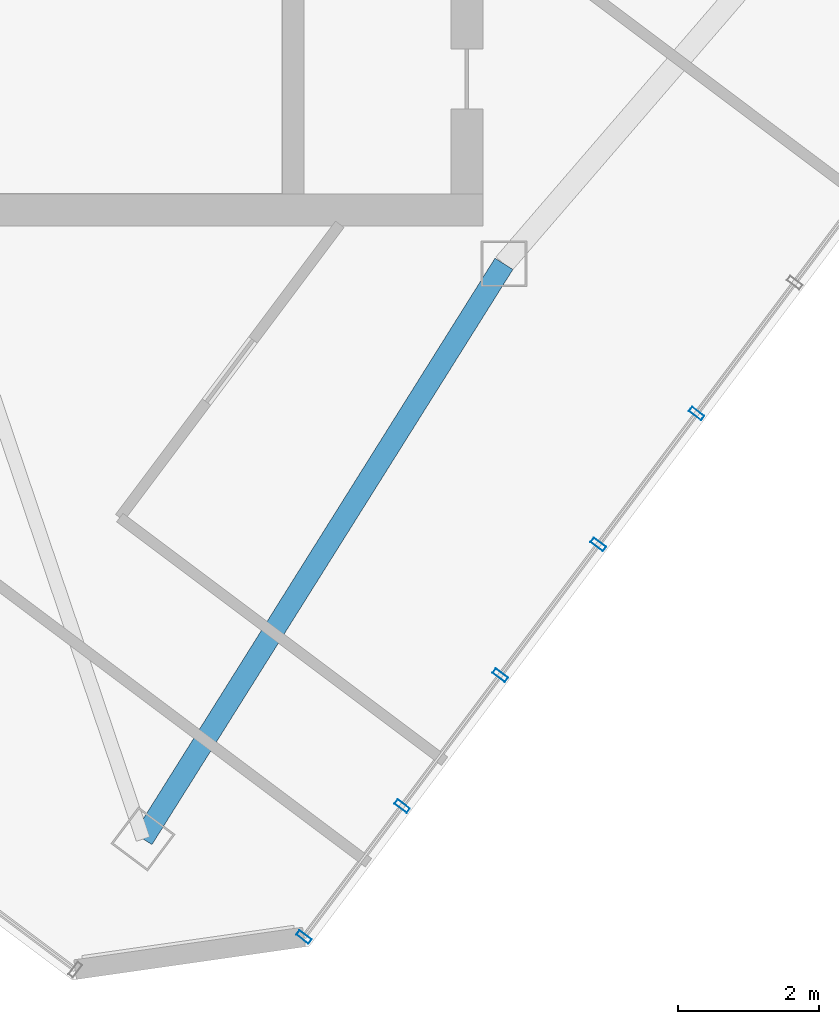
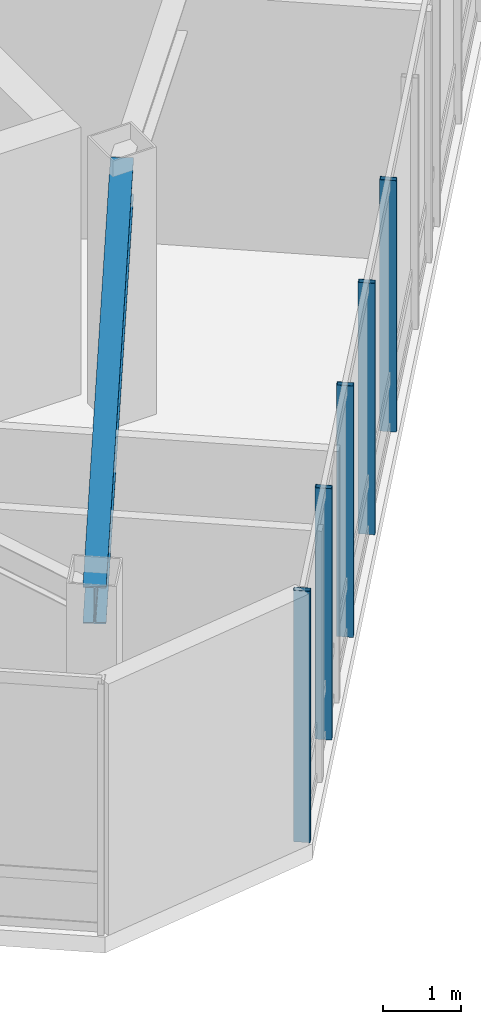
# One storey, part 9 of 22: 5 members, 1 beam, 1 element without a shape of its own.
"""IFC4 building model written with IfcOpenShell, lengths in metres."""

from ifc_helpers import new_model, si_unit, direction, frame, origin, origin_2d, place, context, subcontext, project, spatial, hollow_rectangle, i_section, extrude, material, layer, layer_set, material_profile, profile_set, type_object, element, aggregate, save


model = new_model("IFC4")

# Units and contexts
model_context = context("Model", 3, precision=1e-05, world=origin(), true_north=direction((0.0, 1.0)))
body_context = subcontext(model_context, "Body", "Model", "MODEL_VIEW")
ifc_project = project(units=[si_unit("LENGTHUNIT", "METRE"), si_unit("AREAUNIT", "SQUARE_METRE"), si_unit("VOLUMEUNIT", "CUBIC_METRE"), si_unit("PLANEANGLEUNIT", "RADIAN"), si_unit("MASSUNIT", "GRAM", prefix="KILO")], contexts=[model_context])

# Site, building, storey
site_placement = place(None, origin())
site = spatial("IfcSite", under=ifc_project, at=site_placement, CompositionType="ELEMENT")
building_placement = place(site_placement, origin())
building = spatial("IfcBuilding", under=site, at=building_placement, Name="Hatsunagi Terrace Concourse", CompositionType="ELEMENT")
storey_placement = place(building_placement, frame((0.0, 0.0, 257.550048828125)))
storey = spatial("IfcBuildingStorey", under=building, at=storey_placement, Name="L68", CompositionType="ELEMENT", Elevation=257.550048828125)

# Curtain wall, members
ifc_material_1 = material(Name="Anodised Aluminium Alloy 6063-T5", Category="aluminium")
ifc_layer = layer(ifc_material_1, 0.199951171875)
ifc_layer_set = layer_set([ifc_layer], Name="SkyLobbyAtrium_CW05")
curtain_wall_type = type_object("IfcCurtainWallType", Name="SkyLobbyAtrium_CW05", PredefinedType="NOTDEFINED", material=ifc_layer_set)
curtain_wall_placement = place(storey_placement, origin())
curtain_wall = element("IfcCurtainWall", 1, at=curtain_wall_placement, inside=storey, type_object=curtain_wall_type, Name="Unitised Curtain Wall CW-05 CW-L68-08", PredefinedType="NOTDEFINED")
ifc_material_2 = material(Name="Anodised Aluminium Alloy 6063-T5", Category="aluminium")
ifc_material_profile_1 = material_profile(ifc_material_2, hollow_rectangle(XDim=0.080078125, YDim=0.219970703125, WallThickness=0.0048828125, at=origin_2d()), Name="ALU-MUL-220x80x5")
ifc_profile_set_1 = profile_set([ifc_material_profile_1], Name="Anodised Aluminium Alloy 6063-T5")
member_type = type_object("IfcMemberType", Name="CurtainWallMullion_Heavy_220x80", PredefinedType="MULLION", material=ifc_profile_set_1)
member_1_placement = place(storey_placement, frame((46.531982421875, 22.075927734375, 0.0), z_axis=(0.0, 0.0, 1.0), x_axis=(-0.599969314634, -0.800023013105, 0.0)))
member_1 = element("IfcMember", 2, at=member_1_placement, type_object=member_type, Name="Curtain Wall Mullion MUL-01", PredefinedType="MULLION", context=body_context, shape_type="SweptSolid", body=[
    extrude(hollow_rectangle(XDim=0.080078125, YDim=0.219970703125, WallThickness=0.0048828125, at=origin_2d()), origin(), (0.0, 0.0, 1.0), 3.949951171875),
])
member_2_placement = place(storey_placement, frame((45.139892578125, 20.218994140625, 0.0), z_axis=(0.0, 0.0, 1.0), x_axis=(-0.599969314634, -0.800023013105, 0.0)))
member_2 = element("IfcMember", 3, at=member_2_placement, type_object=member_type, Name="Curtain Wall Mullion MUL-01", PredefinedType="MULLION", context=body_context, shape_type="SweptSolid", body=[
    extrude(hollow_rectangle(XDim=0.080078125, YDim=0.219970703125, WallThickness=0.0048828125, at=origin_2d()), origin(), (0.0, 0.0, 1.0), 3.949951171875),
])
member_3_placement = place(storey_placement, frame((43.7470703125, 18.363037109375, 0.0), z_axis=(0.0, 0.0, 1.0), x_axis=(-0.599969314634, -0.800023013105, 0.0)))
member_3 = element("IfcMember", 4, at=member_3_placement, type_object=member_type, Name="Curtain Wall Mullion MUL-01", PredefinedType="MULLION", context=body_context, shape_type="SweptSolid", body=[
    extrude(hollow_rectangle(XDim=0.080078125, YDim=0.219970703125, WallThickness=0.0048828125, at=origin_2d()), origin(), (0.0, 0.0, 1.0), 3.949951171875),
])
member_4_placement = place(storey_placement, frame((42.35498046875, 16.506103515625, 0.0), z_axis=(0.0, 0.0, 1.0), x_axis=(-0.599969314634, -0.800023013105, 0.0)))
member_4 = element("IfcMember", 5, at=member_4_placement, type_object=member_type, Name="Curtain Wall Mullion MUL-01", PredefinedType="MULLION", context=body_context, shape_type="SweptSolid", body=[
    extrude(hollow_rectangle(XDim=0.080078125, YDim=0.219970703125, WallThickness=0.0048828125, at=origin_2d()), origin(), (0.0, 0.0, 1.0), 3.949951171875),
])
member_5_placement = place(storey_placement, frame((40.962890625, 14.64990234375, 0.0), z_axis=(0.0, 0.0, 1.0), x_axis=(-0.599969314634, -0.800023013105, 0.0)))
member_5 = element("IfcMember", 6, at=member_5_placement, type_object=member_type, Name="Curtain Wall Mullion MUL-01", PredefinedType="MULLION", context=body_context, shape_type="SweptSolid", body=[
    extrude(hollow_rectangle(XDim=0.080078125, YDim=0.219970703125, WallThickness=0.0048828125, at=origin_2d()), origin(), (0.0, 0.0, 1.0), 3.949951171875),
])
aggregate(curtain_wall, [member_1, member_2, member_3, member_4, member_5])

# Beam
ifc_material_3 = material(Name="Steel SN490B", Category="steel")
ifc_material_profile_2 = material_profile(ifc_material_3, i_section(OverallWidth=0.300048828125, OverallDepth=0.587890625, WebThickness=0.011962890625, FlangeThickness=0.02001953125, FilletRadius=0.01806640625, at=origin_2d()), Name="H-588x300x12x20")
ifc_profile_set_2 = profile_set([ifc_material_profile_2], Name="Steel SN490B")
beam_type = type_object("IfcBeamType", Name="OfficeHighGirder_H_588x300", PredefinedType="BEAM", material=ifc_profile_set_2)
beam_placement = place(storey_placement, frame((38.679931640625, 16.0400390625, 3.656005859375), z_axis=(0.531503907049, 0.847055840421, 0.0), x_axis=(-0.847055840421, 0.531503907049, 0.0)))
element("IfcBeam", 7, at=beam_placement, inside=storey, type_object=beam_type, Name="Beam G-06 BM-L68-SET-1A", PredefinedType="BEAM", context=body_context, shape_type="SweptSolid", body=[
    extrude(i_section(OverallWidth=0.300048828125, OverallDepth=0.587890625, WebThickness=0.011962890625, FlangeThickness=0.02001953125, FilletRadius=0.01806640625, at=origin_2d()), origin(), (0.0, 0.0, 1.0), 9.63330078125),
])

save(model, "model.ifc")
